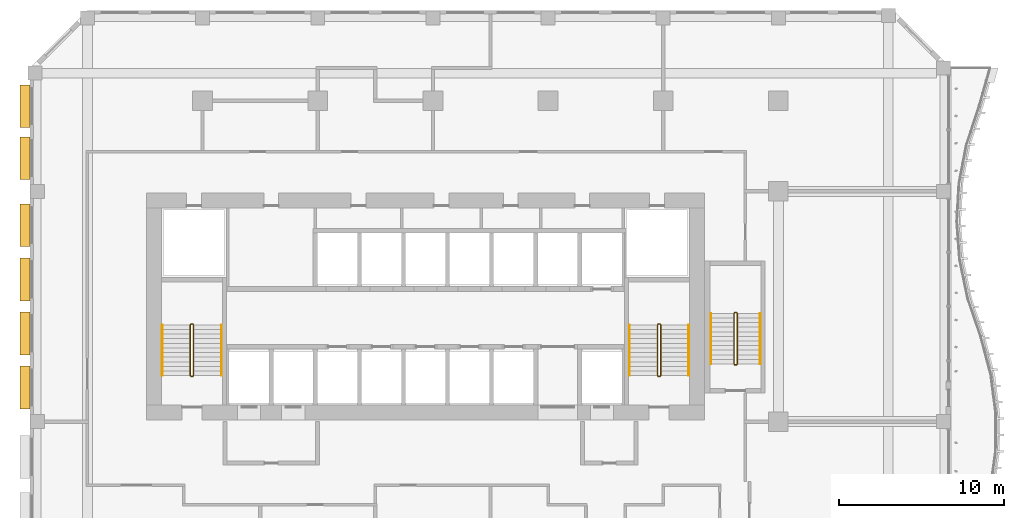
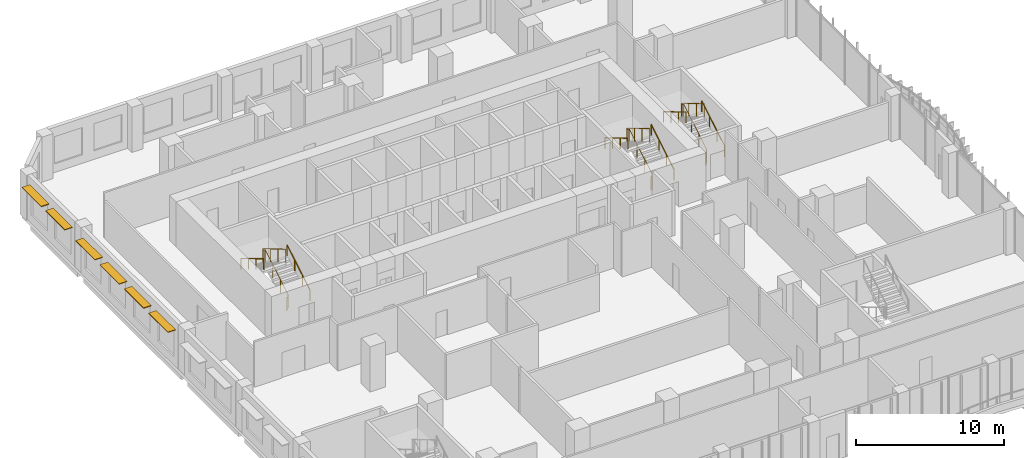
# One storey, part 25 of 26: 9 railings, 6 shading devices.
"""IFC4 building model written with IfcOpenShell, lengths in metres."""

from ifc_helpers import new_model, si_unit, direction, frame, origin, origin_2d, place, context, subcontext, project, spatial, rectangle, circle, extrude, source, transform, mapped, material, layer, layer_set, type_object, element, save


model = new_model("IFC4")

# Units and contexts
model_context = context("Model", 3, precision=1e-05, world=origin(), true_north=direction((0.0, 1.0)))
body_context = subcontext(model_context, "Body", "Model", "MODEL_VIEW")
ifc_project = project(units=[si_unit("LENGTHUNIT", "METRE"), si_unit("AREAUNIT", "SQUARE_METRE"), si_unit("VOLUMEUNIT", "CUBIC_METRE"), si_unit("PLANEANGLEUNIT", "RADIAN"), si_unit("MASSUNIT", "GRAM", prefix="KILO")], contexts=[model_context])

# Site, building, storey
site_placement = place(None, origin())
site = spatial("IfcSite", under=ifc_project, at=site_placement, CompositionType="ELEMENT")
building_placement = place(site_placement, origin())
building = spatial("IfcBuilding", under=site, at=building_placement, Name="Kilnfold Tower and Market Hall", CompositionType="ELEMENT")
storey_placement = place(building_placement, frame((0.0, 0.0, 108.60009765625)))
storey = spatial("IfcBuildingStorey", under=building, at=storey_placement, Name="L25", CompositionType="ELEMENT", Elevation=108.60009765625)

# Railings
ifc_material_1 = material(Name="Stainless steel 316", Category="steel")
railing_type_1 = type_object("IfcRailingType", Name="CORE STAIR GUARD 1100", PredefinedType="GUARDRAIL", material=ifc_material_1)
railing_1_placement = place(storey_placement, frame((-13.199951171875, 10.75, 0.0)))
element("IfcRailing", 1, at=railing_1_placement, inside=storey, type_object=railing_type_1, Name="L25 ST1 stair guard 1", PredefinedType="GUARDRAIL", context=body_context, shape_type="SweptSolid", body=[
    extrude(circle(Radius=0.02392578125, at=origin_2d()), frame((0.0, 0.0, 1.076171875), z_axis=(1.0, 0.0, 0.0), x_axis=(0.0, 1.0, 0.0)), (0.0, 0.0, 1.0), 0.099853515625),
    extrude(circle(Radius=0.02392578125, at=origin_2d()), frame((0.099853515625, 0.0, 1.076171875), z_axis=(0.27662974545, 0.27662974545, 0.920299933644), x_axis=(-0.707106781187, 0.707106781187, 0.0)), (0.0, 0.0, 1.0), 0.180908203125),
    extrude(circle(Radius=0.02392578125, at=origin_2d()), frame((0.14990234375, 0.050048828125, 1.24267578125), z_axis=(0.0, 0.859260807169, 0.511537745687), x_axis=(-1.0, 0.0, 0.0)), (0.0, 0.0, 1.0), 3.584228515625),
    extrude(circle(Radius=0.02392578125, at=origin_2d()), frame((0.14990234375, 3.1298828125, 3.076171875), z_axis=(-0.707106781187, 0.707106781187, 0.0), x_axis=(-0.707106781187, -0.707106781187, 0.0)), (0.0, 0.0, 1.0), 0.07080078125),
    extrude(circle(Radius=0.02392578125, at=origin_2d()), frame((0.099853515625, 3.179931640625, 3.076171875), z_axis=(-1.0, 0.0, 0.0), x_axis=(0.0, -1.0, 0.0)), (0.0, 0.0, 1.0), 0.099853515625),
    extrude(circle(Radius=0.02392578125, at=origin_2d()), frame((0.0, 3.179931640625, 3.076171875), z_axis=(-0.27662974545, -0.27662974545, 0.920299933644), x_axis=(0.707106781187, -0.707106781187, 0.0)), (0.0, 0.0, 1.0), 0.180908203125),
    extrude(circle(Radius=0.02392578125, at=origin_2d()), frame((-0.050048828125, 3.1298828125, 3.24267578125), z_axis=(0.0, -0.859260807169, 0.511537745687), x_axis=(1.0, 0.0, 0.0)), (0.0, 0.0, 1.0), 3.584228515625),
    extrude(circle(Radius=0.02099609375, at=origin_2d()), origin(), (0.0, 0.0, 1.0), 1.052001953125),
    extrude(circle(Radius=0.02099609375, at=origin_2d()), frame((0.099853515625, 0.0, 0.0)), (0.0, 0.0, 1.0), 1.052001953125),
    extrude(circle(Radius=0.02099609375, at=origin_2d()), frame((0.14990234375, 0.050048828125, 0.16650390625)), (0.0, 0.0, 1.0), 1.052001953125),
    extrude(circle(Radius=0.02099609375, at=origin_2d()), frame((0.14990234375, 1.07666015625, 0.777587890625)), (0.0, 0.0, 1.0), 1.052001953125),
    extrude(circle(Radius=0.02099609375, at=origin_2d()), frame((0.14990234375, 2.103271484375, 1.388916015625)), (0.0, 0.0, 1.0), 1.052001953125),
    extrude(circle(Radius=0.02099609375, at=origin_2d()), frame((0.14990234375, 3.1298828125, 2.0)), (0.0, 0.0, 1.0), 1.052001953125),
    extrude(circle(Radius=0.02099609375, at=origin_2d()), frame((0.099853515625, 3.179931640625, 2.0)), (0.0, 0.0, 1.0), 1.052001953125),
    extrude(circle(Radius=0.02099609375, at=origin_2d()), frame((0.0, 3.179931640625, 2.0)), (0.0, 0.0, 1.0), 1.052001953125),
    extrude(circle(Radius=0.02099609375, at=origin_2d()), frame((-0.050048828125, 3.1298828125, 2.16650390625)), (0.0, 0.0, 1.0), 1.052001953125),
    extrude(circle(Radius=0.02099609375, at=origin_2d()), frame((-0.050048828125, 2.103271484375, 2.777587890625)), (0.0, 0.0, 1.0), 1.052001953125),
    extrude(circle(Radius=0.02099609375, at=origin_2d()), frame((-0.050048828125, 1.07666015625, 3.388916015625)), (0.0, 0.0, 1.0), 1.052001953125),
    extrude(circle(Radius=0.02099609375, at=origin_2d()), frame((-0.050048828125, 0.050048828125, 4.0)), (0.0, 0.0, 1.0), 1.052001953125),
])
railing_2_placement = place(storey_placement, frame((15.199951171875, 10.75, 0.0)))
element("IfcRailing", 2, at=railing_2_placement, inside=storey, type_object=railing_type_1, Name="L25 ST2 stair guard 1", PredefinedType="GUARDRAIL", context=body_context, shape_type="SweptSolid", body=[
    extrude(circle(Radius=0.02392578125, at=origin_2d()), frame((0.0, 0.0, 1.076171875), z_axis=(1.0, 0.0, 0.0), x_axis=(0.0, 1.0, 0.0)), (0.0, 0.0, 1.0), 0.10009765625),
    extrude(circle(Radius=0.02392578125, at=origin_2d()), frame((0.10009765625, 0.0, 1.076171875), z_axis=(0.27662974545, 0.27662974545, 0.920299933644), x_axis=(-0.707106781187, 0.707106781187, 0.0)), (0.0, 0.0, 1.0), 0.180908203125),
    extrude(circle(Radius=0.02392578125, at=origin_2d()), frame((0.150146484375, 0.050048828125, 1.24267578125), z_axis=(0.0, 0.859260807169, 0.511537745687), x_axis=(-1.0, 0.0, 0.0)), (0.0, 0.0, 1.0), 3.584228515625),
    extrude(circle(Radius=0.02392578125, at=origin_2d()), frame((0.150146484375, 3.1298828125, 3.076171875), z_axis=(-0.707106781187, 0.707106781187, 0.0), x_axis=(-0.707106781187, -0.707106781187, 0.0)), (0.0, 0.0, 1.0), 0.07080078125),
    extrude(circle(Radius=0.02392578125, at=origin_2d()), frame((0.10009765625, 3.179931640625, 3.076171875), z_axis=(-1.0, 0.0, 0.0), x_axis=(0.0, -1.0, 0.0)), (0.0, 0.0, 1.0), 0.10009765625),
    extrude(circle(Radius=0.02392578125, at=origin_2d()), frame((0.0, 3.179931640625, 3.076171875), z_axis=(-0.27662974545, -0.27662974545, 0.920299933644), x_axis=(0.707106781187, -0.707106781187, 0.0)), (0.0, 0.0, 1.0), 0.180908203125),
    extrude(circle(Radius=0.02392578125, at=origin_2d()), frame((-0.050048828125, 3.1298828125, 3.24267578125), z_axis=(0.0, -0.859260807169, 0.511537745687), x_axis=(1.0, 0.0, 0.0)), (0.0, 0.0, 1.0), 3.584228515625),
    extrude(circle(Radius=0.02099609375, at=origin_2d()), origin(), (0.0, 0.0, 1.0), 1.052001953125),
    extrude(circle(Radius=0.02099609375, at=origin_2d()), frame((0.10009765625, 0.0, 0.0)), (0.0, 0.0, 1.0), 1.052001953125),
    extrude(circle(Radius=0.02099609375, at=origin_2d()), frame((0.150146484375, 0.050048828125, 0.16650390625)), (0.0, 0.0, 1.0), 1.052001953125),
    extrude(circle(Radius=0.02099609375, at=origin_2d()), frame((0.150146484375, 1.07666015625, 0.777587890625)), (0.0, 0.0, 1.0), 1.052001953125),
    extrude(circle(Radius=0.02099609375, at=origin_2d()), frame((0.150146484375, 2.103271484375, 1.388916015625)), (0.0, 0.0, 1.0), 1.052001953125),
    extrude(circle(Radius=0.02099609375, at=origin_2d()), frame((0.150146484375, 3.1298828125, 2.0)), (0.0, 0.0, 1.0), 1.052001953125),
    extrude(circle(Radius=0.02099609375, at=origin_2d()), frame((0.10009765625, 3.179931640625, 2.0)), (0.0, 0.0, 1.0), 1.052001953125),
    extrude(circle(Radius=0.02099609375, at=origin_2d()), frame((0.0, 3.179931640625, 2.0)), (0.0, 0.0, 1.0), 1.052001953125),
    extrude(circle(Radius=0.02099609375, at=origin_2d()), frame((-0.050048828125, 3.1298828125, 2.16650390625)), (0.0, 0.0, 1.0), 1.052001953125),
    extrude(circle(Radius=0.02099609375, at=origin_2d()), frame((-0.050048828125, 2.103271484375, 2.777587890625)), (0.0, 0.0, 1.0), 1.052001953125),
    extrude(circle(Radius=0.02099609375, at=origin_2d()), frame((-0.050048828125, 1.07666015625, 3.388916015625)), (0.0, 0.0, 1.0), 1.052001953125),
    extrude(circle(Radius=0.02099609375, at=origin_2d()), frame((-0.050048828125, 0.050048828125, 4.0)), (0.0, 0.0, 1.0), 1.052001953125),
])
railing_3_placement = place(storey_placement, frame((19.85009765625, 11.449951171875, 0.0)))
element("IfcRailing", 3, at=railing_3_placement, inside=storey, type_object=railing_type_1, Name="L25 ST5 stair guard 1", PredefinedType="GUARDRAIL", context=body_context, shape_type="SweptSolid", body=[
    extrude(circle(Radius=0.02392578125, at=origin_2d()), frame((0.0, 0.0, 1.076171875), z_axis=(1.0, 0.0, 0.0), x_axis=(0.0, 1.0, 0.0)), (0.0, 0.0, 1.0), 0.099853515625),
    extrude(circle(Radius=0.02392578125, at=origin_2d()), frame((0.099853515625, 0.0, 1.076171875), z_axis=(0.27662974545, 0.27662974545, 0.920299933644), x_axis=(-0.707106781187, 0.707106781187, 0.0)), (0.0, 0.0, 1.0), 0.180908203125),
    extrude(circle(Radius=0.02392578125, at=origin_2d()), frame((0.14990234375, 0.050048828125, 1.24267578125), z_axis=(0.0, 0.85927862911, 0.511507807912), x_axis=(-1.0, 0.0, 0.0)), (0.0, 0.0, 1.0), 3.58447265625),
    extrude(circle(Radius=0.02392578125, at=origin_2d()), frame((0.14990234375, 3.130126953125, 3.076171875), z_axis=(-0.708833529934, 0.705375805398, 0.0), x_axis=(-0.705375805398, -0.708833529934, 0.0)), (0.0, 0.0, 1.0), 0.070556640625),
    extrude(circle(Radius=0.02392578125, at=origin_2d()), frame((0.099853515625, 3.179931640625, 3.076171875), z_axis=(-1.0, 0.0, 0.0), x_axis=(0.0, -1.0, 0.0)), (0.0, 0.0, 1.0), 0.099853515625),
    extrude(circle(Radius=0.02392578125, at=origin_2d()), frame((0.0, 3.179931640625, 3.076171875), z_axis=(-0.276732813696, -0.275382897532, 0.920642824102), x_axis=(0.705375805398, -0.708833529934, 0.0)), (0.0, 0.0, 1.0), 0.180908203125),
    extrude(circle(Radius=0.02392578125, at=origin_2d()), frame((-0.050048828125, 3.130126953125, 3.24267578125), z_axis=(0.0, -0.85927862911, 0.511507807912), x_axis=(1.0, 0.0, 0.0)), (0.0, 0.0, 1.0), 3.58447265625),
    extrude(circle(Radius=0.02099609375, at=origin_2d()), origin(), (0.0, 0.0, 1.0), 1.052001953125),
    extrude(circle(Radius=0.02099609375, at=origin_2d()), frame((0.099853515625, 0.0, 0.0)), (0.0, 0.0, 1.0), 1.052001953125),
    extrude(circle(Radius=0.02099609375, at=origin_2d()), frame((0.14990234375, 0.050048828125, 0.16650390625)), (0.0, 0.0, 1.0), 1.052001953125),
    extrude(circle(Radius=0.02099609375, at=origin_2d()), frame((0.14990234375, 1.07666015625, 0.777587890625)), (0.0, 0.0, 1.0), 1.052001953125),
    extrude(circle(Radius=0.02099609375, at=origin_2d()), frame((0.14990234375, 2.103515625, 1.388916015625)), (0.0, 0.0, 1.0), 1.052001953125),
    extrude(circle(Radius=0.02099609375, at=origin_2d()), frame((0.14990234375, 3.130126953125, 2.0)), (0.0, 0.0, 1.0), 1.052001953125),
    extrude(circle(Radius=0.02099609375, at=origin_2d()), frame((0.099853515625, 3.179931640625, 2.0)), (0.0, 0.0, 1.0), 1.052001953125),
    extrude(circle(Radius=0.02099609375, at=origin_2d()), frame((0.0, 3.179931640625, 2.0)), (0.0, 0.0, 1.0), 1.052001953125),
    extrude(circle(Radius=0.02099609375, at=origin_2d()), frame((-0.050048828125, 3.130126953125, 2.16650390625)), (0.0, 0.0, 1.0), 1.052001953125),
    extrude(circle(Radius=0.02099609375, at=origin_2d()), frame((-0.050048828125, 2.103515625, 2.777587890625)), (0.0, 0.0, 1.0), 1.052001953125),
    extrude(circle(Radius=0.02099609375, at=origin_2d()), frame((-0.050048828125, 1.07666015625, 3.388916015625)), (0.0, 0.0, 1.0), 1.052001953125),
    extrude(circle(Radius=0.02099609375, at=origin_2d()), frame((-0.050048828125, 0.050048828125, 4.0)), (0.0, 0.0, 1.0), 1.052001953125),
])
ifc_material_2 = material(Name="Stainless steel 316", Category="steel")
railing_type_2 = type_object("IfcRailingType", Name="CORE STAIR HANDRAIL 900", PredefinedType="HANDRAIL", material=ifc_material_2)
railing_4_placement = place(storey_placement, frame((-11.35009765625, 10.800048828125, 0.16650390625)))
element("IfcRailing", 4, at=railing_4_placement, inside=storey, type_object=railing_type_2, Name="L25 ST1 stair handrail 1", PredefinedType="HANDRAIL", context=body_context, shape_type="SweptSolid", body=[
    extrude(circle(Radius=0.02392578125, at=origin_2d()), frame((0.0, 0.0, 0.8759765625), z_axis=(0.0, 0.859260807169, 0.511537745687), x_axis=(-1.0, 0.0, 0.0)), (0.0, 0.0, 1.0), 3.584228515625),
    extrude(circle(Radius=0.02099609375, at=origin_2d()), origin(), (0.0, 0.0, 1.0), 0.851806640625),
    extrude(circle(Radius=0.02099609375, at=origin_2d()), frame((0.0, 1.026611328125, 0.611083984375)), (0.0, 0.0, 1.0), 0.851806640625),
    extrude(circle(Radius=0.02099609375, at=origin_2d()), frame((0.0, 2.05322265625, 1.222412109375)), (0.0, 0.0, 1.0), 0.851806640625),
    extrude(circle(Radius=0.02099609375, at=origin_2d()), frame((0.0, 3.079833984375, 1.83349609375)), (0.0, 0.0, 1.0), 0.851806640625),
])
railing_5_placement = place(storey_placement, frame((-14.949951171875, 13.8798828125, 2.16650390625)))
element("IfcRailing", 5, at=railing_5_placement, inside=storey, type_object=railing_type_2, Name="L25 ST1 stair handrail 2", PredefinedType="HANDRAIL", context=body_context, shape_type="SweptSolid", body=[
    extrude(circle(Radius=0.02392578125, at=origin_2d()), frame((0.0, 0.0, 0.8759765625), z_axis=(0.0, -0.859260807169, 0.511537745687), x_axis=(1.0, 0.0, 0.0)), (0.0, 0.0, 1.0), 3.584228515625),
    extrude(circle(Radius=0.02099609375, at=origin_2d()), origin(), (0.0, 0.0, 1.0), 0.851806640625),
    extrude(circle(Radius=0.02099609375, at=origin_2d()), frame((0.0, -1.026611328125, 0.611083984375)), (0.0, 0.0, 1.0), 0.851806640625),
    extrude(circle(Radius=0.02099609375, at=origin_2d()), frame((0.0, -2.05322265625, 1.222412109375)), (0.0, 0.0, 1.0), 0.851806640625),
    extrude(circle(Radius=0.02099609375, at=origin_2d()), frame((0.0, -3.079833984375, 1.83349609375)), (0.0, 0.0, 1.0), 0.851806640625),
])
railing_6_placement = place(storey_placement, frame((17.050048828125, 10.800048828125, 0.16650390625)))
element("IfcRailing", 6, at=railing_6_placement, inside=storey, type_object=railing_type_2, Name="L25 ST2 stair handrail 1", PredefinedType="HANDRAIL", context=body_context, shape_type="SweptSolid", body=[
    extrude(circle(Radius=0.02392578125, at=origin_2d()), frame((0.0, 0.0, 0.8759765625), z_axis=(0.0, 0.859260807169, 0.511537745687), x_axis=(-1.0, 0.0, 0.0)), (0.0, 0.0, 1.0), 3.584228515625),
    extrude(circle(Radius=0.02099609375, at=origin_2d()), origin(), (0.0, 0.0, 1.0), 0.851806640625),
    extrude(circle(Radius=0.02099609375, at=origin_2d()), frame((0.0, 1.026611328125, 0.611083984375)), (0.0, 0.0, 1.0), 0.851806640625),
    extrude(circle(Radius=0.02099609375, at=origin_2d()), frame((0.0, 2.05322265625, 1.222412109375)), (0.0, 0.0, 1.0), 0.851806640625),
    extrude(circle(Radius=0.02099609375, at=origin_2d()), frame((0.0, 3.079833984375, 1.83349609375)), (0.0, 0.0, 1.0), 0.851806640625),
])
railing_7_placement = place(storey_placement, frame((13.449951171875, 13.8798828125, 2.16650390625)))
element("IfcRailing", 7, at=railing_7_placement, inside=storey, type_object=railing_type_2, Name="L25 ST2 stair handrail 2", PredefinedType="HANDRAIL", context=body_context, shape_type="SweptSolid", body=[
    extrude(circle(Radius=0.02392578125, at=origin_2d()), frame((0.0, 0.0, 0.8759765625), z_axis=(0.0, -0.859260807169, 0.511537745687), x_axis=(1.0, 0.0, 0.0)), (0.0, 0.0, 1.0), 3.584228515625),
    extrude(circle(Radius=0.02099609375, at=origin_2d()), origin(), (0.0, 0.0, 1.0), 0.851806640625),
    extrude(circle(Radius=0.02099609375, at=origin_2d()), frame((0.0, -1.026611328125, 0.611083984375)), (0.0, 0.0, 1.0), 0.851806640625),
    extrude(circle(Radius=0.02099609375, at=origin_2d()), frame((0.0, -2.05322265625, 1.222412109375)), (0.0, 0.0, 1.0), 0.851806640625),
    extrude(circle(Radius=0.02099609375, at=origin_2d()), frame((0.0, -3.079833984375, 1.83349609375)), (0.0, 0.0, 1.0), 0.851806640625),
])
railing_8_placement = place(storey_placement, frame((21.39990234375, 11.5, 0.16650390625)))
element("IfcRailing", 8, at=railing_8_placement, inside=storey, type_object=railing_type_2, Name="L25 ST5 stair handrail 1", PredefinedType="HANDRAIL", context=body_context, shape_type="SweptSolid", body=[
    extrude(circle(Radius=0.02392578125, at=origin_2d()), frame((0.0, 0.0, 0.8759765625), z_axis=(0.0, 0.85927862911, 0.511507807912), x_axis=(-1.0, 0.0, 0.0)), (0.0, 0.0, 1.0), 3.58447265625),
    extrude(circle(Radius=0.02099609375, at=origin_2d()), origin(), (0.0, 0.0, 1.0), 0.851806640625),
    extrude(circle(Radius=0.02099609375, at=origin_2d()), frame((0.0, 1.026611328125, 0.611083984375)), (0.0, 0.0, 1.0), 0.851806640625),
    extrude(circle(Radius=0.02099609375, at=origin_2d()), frame((0.0, 2.053466796875, 1.222412109375)), (0.0, 0.0, 1.0), 0.851806640625),
    extrude(circle(Radius=0.02099609375, at=origin_2d()), frame((0.0, 3.080078125, 1.83349609375)), (0.0, 0.0, 1.0), 0.851806640625),
])
railing_9_placement = place(storey_placement, frame((18.39990234375, 14.580078125, 2.16650390625)))
element("IfcRailing", 9, at=railing_9_placement, inside=storey, type_object=railing_type_2, Name="L25 ST5 stair handrail 2", PredefinedType="HANDRAIL", context=body_context, shape_type="SweptSolid", body=[
    extrude(circle(Radius=0.02392578125, at=origin_2d()), frame((0.0, 0.0, 0.8759765625), z_axis=(0.0, -0.85927862911, 0.511507807912), x_axis=(1.0, 0.0, 0.0)), (0.0, 0.0, 1.0), 3.58447265625),
    extrude(circle(Radius=0.02099609375, at=origin_2d()), origin(), (0.0, 0.0, 1.0), 0.851806640625),
    extrude(circle(Radius=0.02099609375, at=origin_2d()), frame((0.0, -1.026611328125, 0.611083984375)), (0.0, 0.0, 1.0), 0.851806640625),
    extrude(circle(Radius=0.02099609375, at=origin_2d()), frame((0.0, -2.053466796875, 1.222412109375)), (0.0, 0.0, 1.0), 0.851806640625),
    extrude(circle(Radius=0.02099609375, at=origin_2d()), frame((0.0, -3.080078125, 1.83349609375)), (0.0, 0.0, 1.0), 0.851806640625),
])

# Shading devices
ifc_material_3 = material(Name="Terracotta", Category="masonry")
ifc_layer = layer(ifc_material_3, 0.06005859375)
ifc_layer_set = layer_set([ifc_layer], Name="Terracotta")
shading_device_type = type_object("IfcShadingDeviceType", Name="SUNSHADE BLADE 600", PredefinedType="USERDEFINED", material=ifc_layer_set)
shared_shape = source(origin(), body_context, "Body", "SweptSolid", [
    extrude(rectangle(XDim=2.60009765625, YDim=0.60009765625, at=origin_2d()), origin(), (0.0, 0.0, 1.0), 0.06005859375),
])
for number, where, z_axis, x_axis, name in (
    (10, (-23.300048828125, 27.173828125, 3.02978515625), (0.0, 0.0, 1.0), (0.0, -1.0, 0.0), "Sunshade L25 W"),
    (11, (-23.300048828125, 24.008056640625, 3.02978515625), (0.0, 0.0, 1.0), (0.0, -1.0, 0.0), "Sunshade L25 W"),
    (12, (-23.300048828125, 19.93115234375, 3.02978515625), (0.0, 0.0, 1.0), (0.0, -1.0, 0.0), "Sunshade L25 W"),
    (13, (-23.300048828125, 16.643798828125, 3.02978515625), (0.0, 0.0, 1.0), (0.0, -1.0, 0.0), "Sunshade L25 W"),
    (14, (-23.300048828125, 13.356201171875, 3.02978515625), (0.0, 0.0, 1.0), (0.0, -1.0, 0.0), "Sunshade L25 W"),
    (15, (-23.300048828125, 10.06884765625, 3.02978515625), (0.0, 0.0, 1.0), (0.0, -1.0, 0.0), "Sunshade L25 W"),
):
    element("IfcShadingDevice", number, at=place(storey_placement, frame(where, z_axis=z_axis, x_axis=x_axis)), inside=storey, type_object=shading_device_type, Name=name, ObjectType="SUNSHADE", PredefinedType="USERDEFINED", context=body_context, shape_type="MappedRepresentation", body=[
        mapped(shared_shape, transform((0.0, 0.0, 0.0))),
    ])

save(model, "model.ifc")
